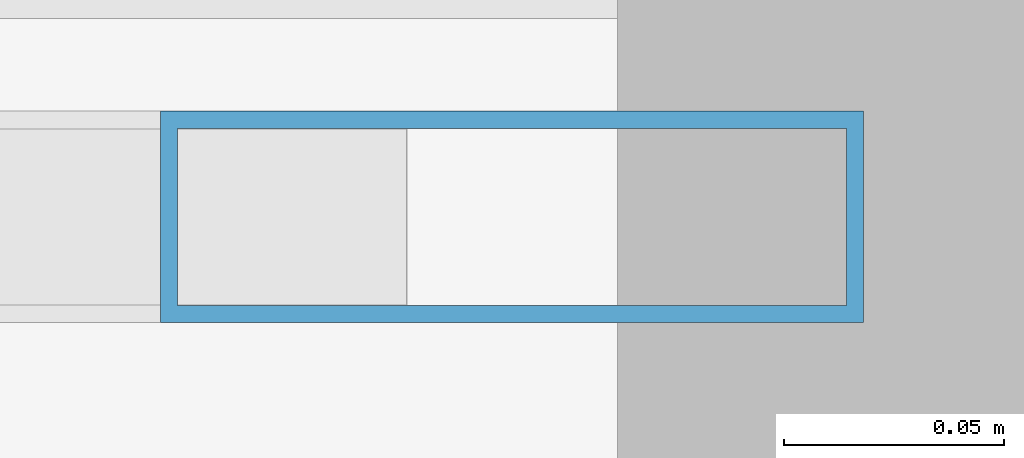
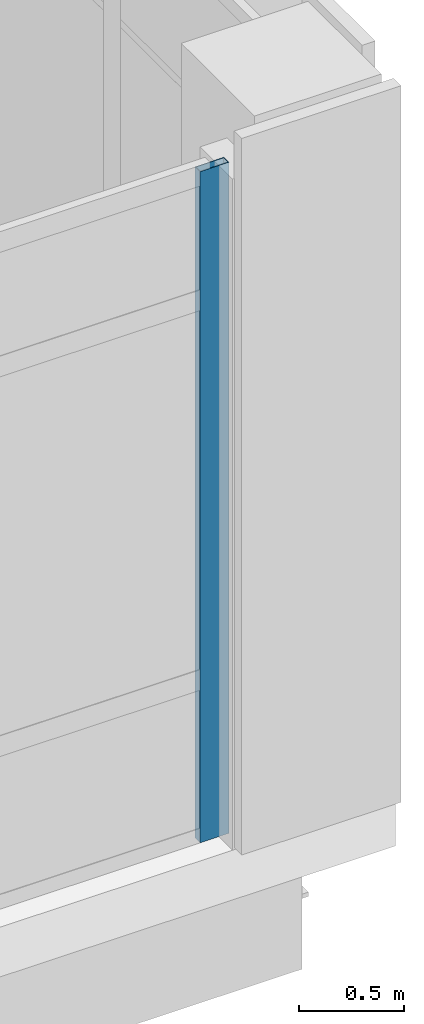
# One storey, part 102 of 193: 1 member, 1 element without a shape of its own.
"""IFC4 building model written with IfcOpenShell, lengths in metres."""

from ifc_helpers import new_model, si_unit, direction, frame, origin, origin_2d, place, context, subcontext, project, spatial, hollow_rectangle, extrude, material, layer, layer_set, material_profile, profile_set, type_object, element, aggregate, save


model = new_model("IFC4")

# Units and contexts
model_context = context("Model", 3, precision=1e-05, world=origin(), true_north=direction((0.0, 1.0)))
body_context = subcontext(model_context, "Body", "Model", "MODEL_VIEW")
ifc_project = project(units=[si_unit("LENGTHUNIT", "METRE"), si_unit("AREAUNIT", "SQUARE_METRE"), si_unit("VOLUMEUNIT", "CUBIC_METRE"), si_unit("PLANEANGLEUNIT", "RADIAN"), si_unit("MASSUNIT", "GRAM", prefix="KILO")], contexts=[model_context])

# Site, building, storey
site_placement = place(None, origin())
site = spatial("IfcSite", under=ifc_project, at=site_placement, CompositionType="ELEMENT")
building_placement = place(site_placement, origin())
building = spatial("IfcBuilding", under=site, at=building_placement, Name="Qalavern Law Courts", CompositionType="ELEMENT")
storey_placement = place(building_placement, frame((0.0, 0.0, 10.199951171875)))
storey = spatial("IfcBuildingStorey", under=building, at=storey_placement, Name="L02", CompositionType="ELEMENT", Elevation=10.199951171875)

# Curtain wall, member
ifc_material_1 = material(Name="Anodised aluminium and insulated glazing", Category="aluminium")
ifc_layer = layer(ifc_material_1, 0.166015625)
ifc_layer_set = layer_set([ifc_layer], Name="Anodised aluminium and insulated glazing")
curtain_wall_type = type_object("IfcCurtainWallType", Name="ENV-CW-LIB", PredefinedType="USERDEFINED", material=ifc_layer_set)
curtain_wall_placement = place(storey_placement, origin())
curtain_wall = element("IfcCurtainWall", 1, at=curtain_wall_placement, inside=storey, type_object=curtain_wall_type, Name="V5 unitised curtain wall L02 south 6", ObjectType="UNITISED CURTAIN WALL", PredefinedType="USERDEFINED")
ifc_material_2 = material(Name="Anodised aluminium", Category="aluminium")
ifc_material_profile = material_profile(ifc_material_2, hollow_rectangle(XDim=0.048095703125, YDim=0.159912109375, WallThickness=0.00390625, at=origin_2d()), Name="ALU MULLION 48x160")
ifc_profile_set = profile_set([ifc_material_profile], Name="Anodised aluminium")
member_type = type_object("IfcMemberType", Name="ENV-CWM-48x160", PredefinedType="MULLION", material=ifc_profile_set)
member_placement = place(storey_placement, frame((65.8759765625, 96.35498046875, 0.0), z_axis=(0.0, 0.0, 1.0), x_axis=(0.0, 1.0, 0.0)))
member = element("IfcMember", 2, at=member_placement, type_object=member_type, Name="CW-05 mullion 6", PredefinedType="MULLION", context=body_context, shape_type="SweptSolid", body=[
    extrude(hollow_rectangle(XDim=0.048095703125, YDim=0.159912109375, WallThickness=0.00390625, at=origin_2d()), origin(), (0.0, 0.0, 1.0), 3.9150390625),
])
aggregate(curtain_wall, [member])

save(model, "model.ifc")
